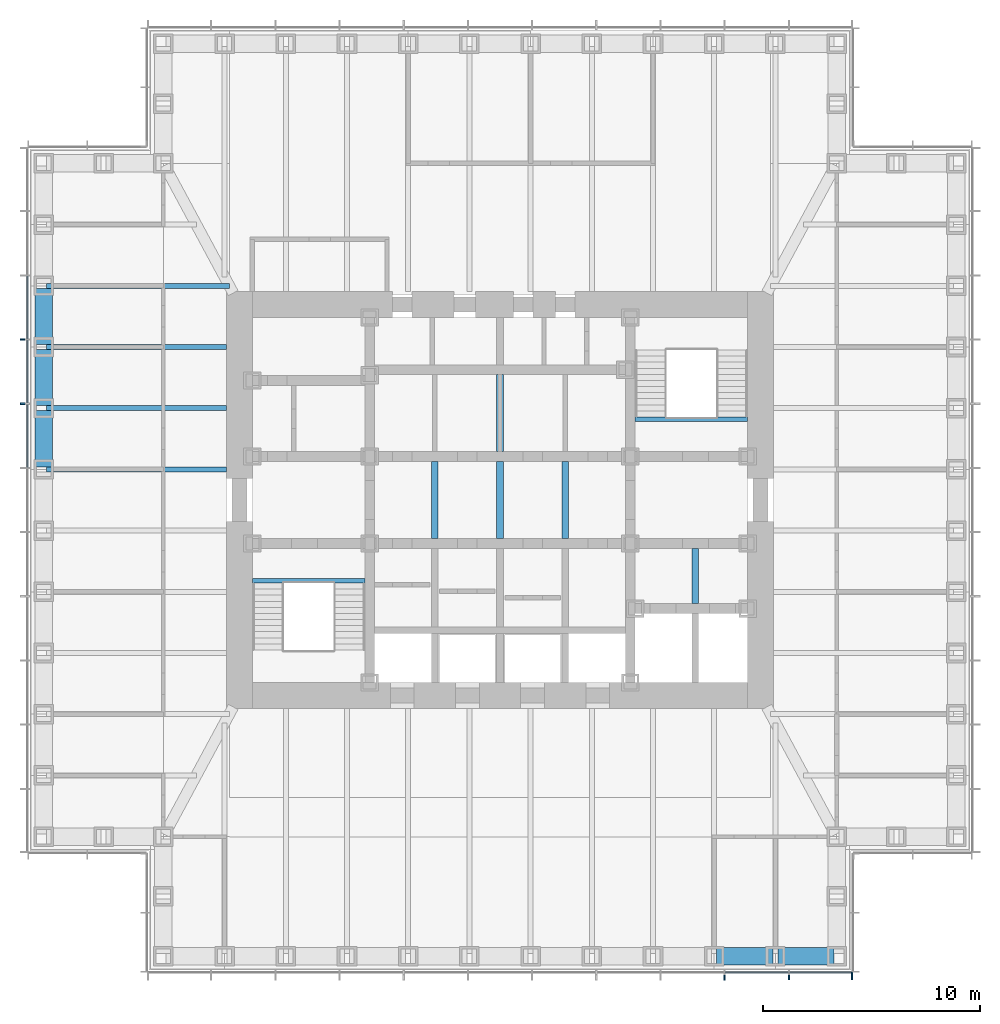
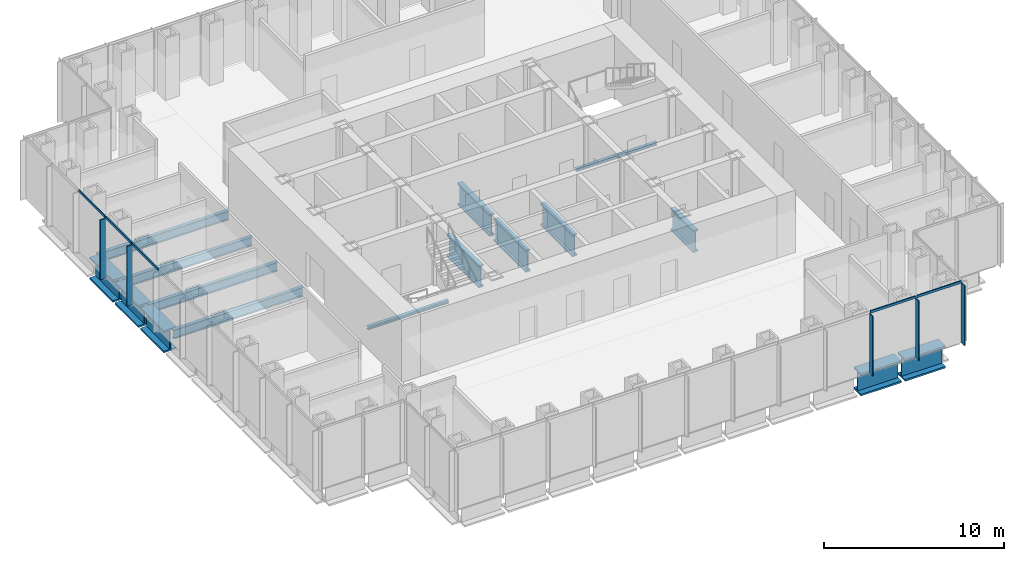
# One storey, part 3 of 17: 16 beams, 10 members, 2 elements without a shape of their own.
"""IFC4 building model written with IfcOpenShell, lengths in metres."""

from ifc_helpers import new_model, si_unit, direction, frame, origin, origin_2d, place, context, subcontext, project, spatial, rectangle, i_section, extrude, material, material_profile, profile_set, type_object, element, aggregate, save


model = new_model("IFC4")

# Units and contexts
model_context = context("Model", 3, precision=1e-05, world=origin(), true_north=direction((0.0, 1.0)))
body_context = subcontext(model_context, "Body", "Model", "MODEL_VIEW")
ifc_project = project(units=[si_unit("LENGTHUNIT", "METRE"), si_unit("AREAUNIT", "SQUARE_METRE"), si_unit("VOLUMEUNIT", "CUBIC_METRE"), si_unit("PLANEANGLEUNIT", "RADIAN"), si_unit("MASSUNIT", "GRAM", prefix="KILO")], contexts=[model_context])

# Site, building, storey
site_placement = place(None, origin())
site = spatial("IfcSite", under=ifc_project, at=site_placement, CompositionType="ELEMENT")
building_placement = place(site_placement, origin())
building = spatial("IfcBuilding", under=site, at=building_placement, Name="Daluyong Arena Tower", CompositionType="ELEMENT")
storey_placement = place(building_placement, frame((0.0, 0.0, 193.89990234375)))
storey = spatial("IfcBuildingStorey", under=building, at=storey_placement, Name="L43", CompositionType="ELEMENT", Elevation=193.89990234375)

# Curtain wall, members
ifc_material_1 = material(Name="Bronze anodised aluminium and glass", Category="aluminium")
curtain_wall_type = type_object("IfcCurtainWallType", Name="Curtain wall CW3", PredefinedType="USERDEFINED", material=ifc_material_1)
curtain_wall_1_placement = place(storey_placement, origin())
curtain_wall_1 = element("IfcCurtainWall", 1, at=curtain_wall_1_placement, inside=storey, type_object=curtain_wall_type, Name="curtain wall L43 S", ObjectType="UNITISED CURTAIN WALL", PredefinedType="USERDEFINED")
ifc_material_2 = material(Name="Bronze anodised aluminium fin", Category="aluminium")
ifc_material_profile_1 = material_profile(ifc_material_2, rectangle(XDim=0.35009765625, YDim=0.070068359375, at=origin_2d()))
ifc_profile_set_1 = profile_set([ifc_material_profile_1], Name="Bronze anodised aluminium fin")
member_type_1 = type_object("IfcMemberType", Name="CW3 bronze fin 350x70", PredefinedType="MULLION", material=ifc_profile_set_1)
member_1_placement = place(storey_placement, frame((66.3408203125, 58.074951171875, 0.0), z_axis=(0.0, 0.0, 1.0), x_axis=(0.0, 1.0, 0.0)))
member_1 = element("IfcMember", 2, at=member_1_placement, type_object=member_type_1, Name="curtain wall L43 S fin 10", PredefinedType="MULLION", context=body_context, shape_type="SweptSolid", body=[
    extrude(rectangle(XDim=0.35009765625, YDim=0.070068359375, at=origin_2d()), origin(), (0.0, 0.0, 1.0), 4.0400390625),
])
member_2_placement = place(storey_placement, frame((69.29541015625, 58.074951171875, 0.0), z_axis=(0.0, 0.0, 1.0), x_axis=(0.0, 1.0, 0.0)))
member_2 = element("IfcMember", 3, at=member_2_placement, type_object=member_type_1, Name="curtain wall L43 S fin 11", PredefinedType="MULLION", context=body_context, shape_type="SweptSolid", body=[
    extrude(rectangle(XDim=0.35009765625, YDim=0.070068359375, at=origin_2d()), origin(), (0.0, 0.0, 1.0), 4.0400390625),
])
member_3_placement = place(storey_placement, frame((72.215087890625, 58.074951171875, 0.0), z_axis=(0.0, 0.0, 1.0), x_axis=(0.0, 1.0, 0.0)))
member_3 = element("IfcMember", 4, at=member_3_placement, type_object=member_type_1, Name="curtain wall L43 S fin 12", PredefinedType="MULLION", context=body_context, shape_type="SweptSolid", body=[
    extrude(rectangle(XDim=0.35009765625, YDim=0.070068359375, at=origin_2d()), origin(), (0.0, 0.0, 1.0), 4.0400390625),
])

curtain_wall_2_placement = place(storey_placement, origin())
curtain_wall_2 = element("IfcCurtainWall", 5, at=curtain_wall_2_placement, inside=storey, type_object=curtain_wall_type, Name="curtain wall L43 W", ObjectType="UNITISED CURTAIN WALL", PredefinedType="USERDEFINED")
member_4_placement = place(storey_placement, frame((34.074951171875, 87.386474609375, 0.0), z_axis=(0.0, 0.0, 1.0), x_axis=(1.0, 0.0, 0.0)))
member_4 = element("IfcMember", 6, at=member_4_placement, type_object=member_type_1, Name="curtain wall L43 W fin 4", PredefinedType="MULLION", context=body_context, shape_type="SweptSolid", body=[
    extrude(rectangle(XDim=0.35009765625, YDim=0.070068359375, at=origin_2d()), origin(), (0.0, 0.0, 1.0), 4.0400390625),
])
member_5_placement = place(storey_placement, frame((34.074951171875, 84.431884765625, 0.0), z_axis=(0.0, 0.0, 1.0), x_axis=(1.0, 0.0, 0.0)))
member_5 = element("IfcMember", 7, at=member_5_placement, type_object=member_type_1, Name="curtain wall L43 W fin 5", PredefinedType="MULLION", context=body_context, shape_type="SweptSolid", body=[
    extrude(rectangle(XDim=0.35009765625, YDim=0.070068359375, at=origin_2d()), origin(), (0.0, 0.0, 1.0), 4.0400390625),
])

# Member
ifc_material_3 = material(Name="Bronze anodised aluminium", Category="aluminium")
ifc_material_profile_2 = material_profile(ifc_material_3, rectangle(XDim=0.070068359375, YDim=0.159912109375, at=origin_2d()))
ifc_profile_set_2 = profile_set([ifc_material_profile_2], Name="Bronze anodised aluminium")
member_type_2 = type_object("IfcMemberType", Name="CW3 stack transom 160x70", PredefinedType="USERDEFINED", material=ifc_profile_set_2)
member_6_placement = place(storey_placement, frame((66.3759765625, 58.25, 4.1201171875), z_axis=(1.0, 0.0, 0.0), x_axis=(0.0, 1.0, 0.0)))
member_6 = element("IfcMember", 8, at=member_6_placement, type_object=member_type_2, Name="curtain wall L43 S transom 10", ObjectType="TRANSOM", PredefinedType="USERDEFINED", context=body_context, shape_type="SweptSolid", body=[
    extrude(rectangle(XDim=0.070068359375, YDim=0.159912109375, at=origin_2d()), origin(), (0.0, 0.0, 1.0), 2.884521484375),
])

member_7_placement = place(storey_placement, frame((69.33056640625, 58.25, 4.1201171875), z_axis=(1.0, 0.0, 0.0), x_axis=(0.0, 1.0, 0.0)))
member_7 = element("IfcMember", 9, at=member_7_placement, type_object=member_type_2, Name="curtain wall L43 S transom 11", ObjectType="TRANSOM", PredefinedType="USERDEFINED", context=body_context, shape_type="SweptSolid", body=[
    extrude(rectangle(XDim=0.070068359375, YDim=0.159912109375, at=origin_2d()), origin(), (0.0, 0.0, 1.0), 2.849365234375),
])

aggregate(curtain_wall_1, [member_1, member_2, member_3, member_6, member_7])

member_8_placement = place(storey_placement, frame((34.25, 90.305908203125, 4.1201171875), z_axis=(0.0, -1.0, 0.0), x_axis=(1.0, 0.0, 0.0)))
member_8 = element("IfcMember", 10, at=member_8_placement, type_object=member_type_2, Name="curtain wall L43 W transom 3", ObjectType="TRANSOM", PredefinedType="USERDEFINED", context=body_context, shape_type="SweptSolid", body=[
    extrude(rectangle(XDim=0.070068359375, YDim=0.159912109375, at=origin_2d()), origin(), (0.0, 0.0, 1.0), 2.884521484375),
])

member_9_placement = place(storey_placement, frame((34.25, 87.351318359375, 4.1201171875), z_axis=(0.0, -1.0, 0.0), x_axis=(1.0, 0.0, 0.0)))
member_9 = element("IfcMember", 11, at=member_9_placement, type_object=member_type_2, Name="curtain wall L43 W transom 4", ObjectType="TRANSOM", PredefinedType="USERDEFINED", context=body_context, shape_type="SweptSolid", body=[
    extrude(rectangle(XDim=0.070068359375, YDim=0.159912109375, at=origin_2d()), origin(), (0.0, 0.0, 1.0), 2.884521484375),
])

member_10_placement = place(storey_placement, frame((34.25, 84.396728515625, 4.1201171875), z_axis=(0.0, -1.0, 0.0), x_axis=(1.0, 0.0, 0.0)))
member_10 = element("IfcMember", 12, at=member_10_placement, type_object=member_type_2, Name="curtain wall L43 W transom 5", ObjectType="TRANSOM", PredefinedType="USERDEFINED", context=body_context, shape_type="SweptSolid", body=[
    extrude(rectangle(XDim=0.070068359375, YDim=0.159912109375, at=origin_2d()), origin(), (0.0, 0.0, 1.0), 2.884521484375),
])

aggregate(curtain_wall_2, [member_4, member_5, member_8, member_9, member_10])

# Beams
ifc_material_4 = material(Name="Steel ASTM A992 Grade 50", Category="steel")
ifc_material_profile_3 = material_profile(ifc_material_4, i_section(OverallWidth=0.22900390625, OverallDepth=0.612060546875, WebThickness=0.011962890625, FlangeThickness=0.01953125, at=origin_2d()))
ifc_profile_set_3 = profile_set([ifc_material_profile_3], Name="Steel ASTM A992 Grade 50")
beam_type_1 = type_object("IfcBeamType", Name="Floor beam W24X84", PredefinedType="BEAM", material=ifc_profile_set_3)
beam_1_placement = place(storey_placement, frame((35.114990234375, 89.863525390625, -0.466064453125), z_axis=(1.0, 0.0, 0.0), x_axis=(0.0, 1.0, 0.0)))
element("IfcBeam", 13, at=beam_1_placement, inside=storey, type_object=beam_type_1, Name="floor beam FB3", PredefinedType="BEAM", context=body_context, shape_type="SweptSolid", body=[
    extrude(i_section(OverallWidth=0.22900390625, OverallDepth=0.612060546875, WebThickness=0.011962890625, FlangeThickness=0.01953125, at=origin_2d()), origin(), (0.0, 0.0, 1.0), 8.419921875),
])
for number, where, z_axis, x_axis, name in (
    (14, (35.114990234375, 87.04541015625, -0.466064453125), (1.0, 0.0, 0.0), (0.0, 1.0, 0.0), "floor beam FB3"),
    (15, (35.114990234375, 84.227294921875, -0.466064453125), (1.0, 0.0, 0.0), (0.0, 1.0, 0.0), "floor beam FB3"),
    (16, (35.114990234375, 81.4091796875, -0.466064453125), (1.0, 0.0, 0.0), (0.0, 1.0, 0.0), "floor beam FB3"),
):
    element("IfcBeam", number, at=place(storey_placement, frame(where, z_axis=z_axis, x_axis=x_axis)), inside=storey, type_object=beam_type_1, Name=name, PredefinedType="BEAM", context=body_context, shape_type="SweptSolid", body=[
        extrude(i_section(OverallWidth=0.22900390625, OverallDepth=0.612060546875, WebThickness=0.011962890625, FlangeThickness=0.01953125, at=origin_2d()), origin(), (0.0, 0.0, 1.0), 8.284912109375),
    ])
ifc_material_5 = material(Name="Steel ASTM A572 Grade 50", Category="steel")
ifc_material_profile_4 = material_profile(ifc_material_5, i_section(OverallWidth=0.300048828125, OverallDepth=1.5, WebThickness=0.04, FlangeThickness=0.1, at=origin_2d()))
ifc_profile_set_4 = profile_set([ifc_material_profile_4], Name="Steel ASTM A572 Grade 50")
beam_type_2 = type_object("IfcBeamType", Name="Lift divider beam PG1500X300", PredefinedType="BEAM", material=ifc_profile_set_4)
for number, where, z_axis, x_axis, name in (
    (17, (53.0, 78.22509765625, -0.909912109375), (0.0, 1.0, 0.0), (-1.0, 0.0, 0.0), "lift divider beam DB2"),
    (18, (56.0, 78.22509765625, -0.909912109375), (0.0, 1.0, 0.0), (-1.0, 0.0, 0.0), "lift divider beam DB2"),
    (19, (56.0, 82.22509765625, -0.909912109375), (0.0, 1.0, 0.0), (-1.0, 0.0, 0.0), "lift divider beam DB2"),
    (20, (59.0, 78.22509765625, -0.909912109375), (0.0, 1.0, 0.0), (-1.0, 0.0, 0.0), "lift divider beam DB2"),
):
    element("IfcBeam", number, at=place(storey_placement, frame(where, z_axis=z_axis, x_axis=x_axis)), inside=storey, type_object=beam_type_2, Name=name, PredefinedType="BEAM", context=body_context, shape_type="SweptSolid", body=[
        extrude(i_section(OverallWidth=0.300048828125, OverallDepth=1.5, WebThickness=0.04, FlangeThickness=0.1, at=origin_2d()), origin(), (0.0, 0.0, 1.0), 3.5498046875),
    ])
beam_2_placement = place(storey_placement, frame((65.0, 75.22509765625, -0.909912109375), z_axis=(0.0, 1.0, 0.0), x_axis=(-1.0, 0.0, 0.0)))
element("IfcBeam", 21, at=beam_2_placement, inside=storey, type_object=beam_type_2, Name="lift divider beam DB2", PredefinedType="BEAM", context=body_context, shape_type="SweptSolid", body=[
    extrude(i_section(OverallWidth=0.300048828125, OverallDepth=1.5, WebThickness=0.04, FlangeThickness=0.1, at=origin_2d()), origin(), (0.0, 0.0, 1.0), 2.5498046875),
])
ifc_material_6 = material(Name="Steel ASTM A588 Grade 50", Category="steel")
ifc_material_profile_5 = material_profile(ifc_material_6, i_section(OverallWidth=0.800048828125, OverallDepth=1.5, WebThickness=0.05, FlangeThickness=0.12, at=origin_2d()))
ifc_profile_set_5 = profile_set([ifc_material_profile_5], Name="Steel ASTM A588 Grade 50")
beam_type_3 = type_object("IfcBeamType", Name="Spandrel Z3 PG1500X800", PredefinedType="SPANDREL", material=ifc_profile_set_5)
beam_3_placement = place(storey_placement, frame((65.978515625, 59.0, -0.909912109375), z_axis=(1.0, 0.0, 0.0), x_axis=(0.0, 1.0, 0.0)))
element("IfcBeam", 22, at=beam_3_placement, inside=storey, type_object=beam_type_3, Name="spandrel z3 SB7", PredefinedType="SPANDREL", context=body_context, shape_type="SweptSolid", body=[
    extrude(i_section(OverallWidth=0.800048828125, OverallDepth=1.5, WebThickness=0.05, FlangeThickness=0.12, at=origin_2d()), origin(), (0.0, 0.0, 1.0), 2.58837890625),
])
for number, where, z_axis, x_axis, name in (
    (23, (68.796875, 59.0, -0.909912109375), (1.0, 0.0, 0.0), (0.0, 1.0, 0.0), "spandrel z3 SB7"),
    (24, (35.0, 89.74853515625, -0.909912109375), (0.0, -1.0, 0.0), (1.0, 0.0, 0.0), "spandrel z3 SB7"),
    (25, (35.0, 86.930419921875, -0.909912109375), (0.0, -1.0, 0.0), (1.0, 0.0, 0.0), "spandrel z3 SB7"),
    (26, (35.0, 84.1123046875, -0.909912109375), (0.0, -1.0, 0.0), (1.0, 0.0, 0.0), "spandrel z3 SB7"),
):
    element("IfcBeam", number, at=place(storey_placement, frame(where, z_axis=z_axis, x_axis=x_axis)), inside=storey, type_object=beam_type_3, Name=name, PredefinedType="SPANDREL", context=body_context, shape_type="SweptSolid", body=[
        extrude(i_section(OverallWidth=0.800048828125, OverallDepth=1.5, WebThickness=0.05, FlangeThickness=0.12, at=origin_2d()), origin(), (0.0, 0.0, 1.0), 2.588134765625),
    ])
ifc_material_7 = material(Name="Steel ASTM A992 Grade 50", Category="steel")
ifc_material_profile_6 = material_profile(ifc_material_7, i_section(OverallWidth=0.203125, OverallDepth=0.203125, WebThickness=0.00732421875, FlangeThickness=0.010986328125, at=origin_2d()))
ifc_profile_set_6 = profile_set([ifc_material_profile_6], Name="Steel ASTM A992 Grade 50")
beam_type_4 = type_object("IfcBeamType", Name="Stair landing beam W8X31", PredefinedType="BEAM", material=ifc_profile_set_6)
for number, where, z_axis, x_axis, name in (
    (27, (44.60009765625, 76.276611328125, -0.261474609375), (1.0, 0.0, 0.0), (0.0, 1.0, 0.0), "exit stair A landing beam"),
    (28, (62.22509765625, 83.723388671875, -0.261474609375), (1.0, 0.0, 0.0), (0.0, 1.0, 0.0), "exit stair B landing beam"),
):
    element("IfcBeam", number, at=place(storey_placement, frame(where, z_axis=z_axis, x_axis=x_axis)), inside=storey, type_object=beam_type_4, Name=name, PredefinedType="BEAM", context=body_context, shape_type="SweptSolid", body=[
        extrude(i_section(OverallWidth=0.203125, OverallDepth=0.203125, WebThickness=0.00732421875, FlangeThickness=0.010986328125, at=origin_2d()), origin(), (0.0, 0.0, 1.0), 5.1748046875),
    ])

save(model, "model.ifc")
